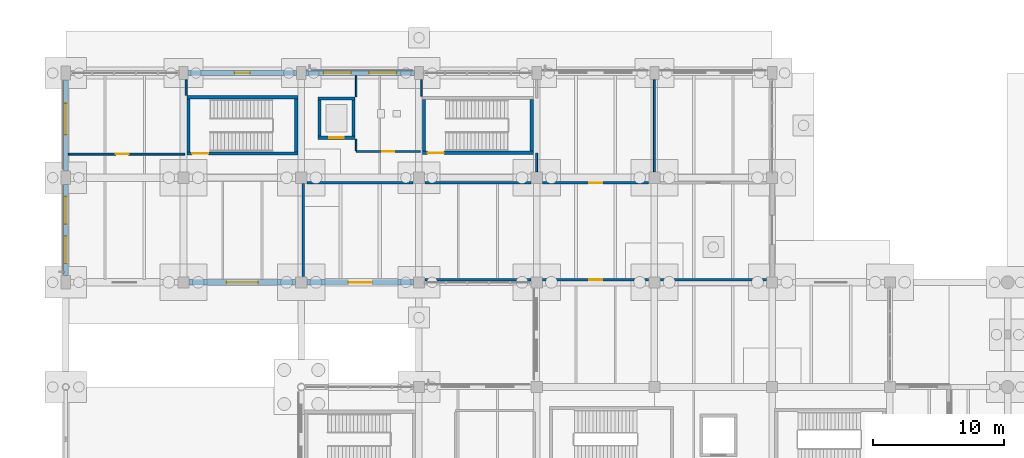
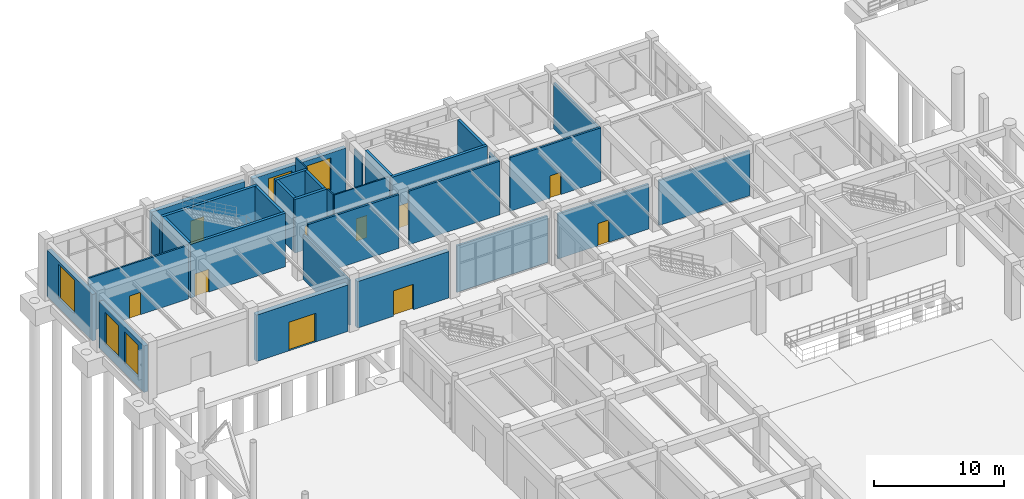
# One storey, part 94 of 121: 32 walls, 10 doors, 5 windows, 15 openings.
"""IFC4 building model written with IfcOpenShell, lengths in metres."""

from ifc_helpers import new_model, si_unit, derived_unit, direction, frame, frame_2d, origin, place, context, subcontext, project, spatial, rectangle, extrude, material, layer, layer_set, type_object, element, fill, save


model = new_model("IFC4")

# Units and contexts
model_context = context("Model", 3, precision=1e-05, world=origin(), true_north=direction((0.0, 1.0)))
body_context = subcontext(model_context, "Body", "Model", "MODEL_VIEW")
ifc_project = project(units=[si_unit("LENGTHUNIT", "METRE"), si_unit("AREAUNIT", "SQUARE_METRE"), si_unit("VOLUMEUNIT", "CUBIC_METRE"), si_unit("PLANEANGLEUNIT", "RADIAN"), si_unit("MASSUNIT", "GRAM", prefix="KILO"), derived_unit("THERMALTRANSMITTANCEUNIT", [(si_unit("MASSUNIT", "GRAM", prefix="KILO"), 1), (si_unit("TIMEUNIT", "SECOND"), -3), (si_unit("THERMODYNAMICTEMPERATUREUNIT", "KELVIN"), -1)])], contexts=[model_context])

# Site, building, storey
site_placement = place(None, origin())
site = spatial("IfcSite", under=ifc_project, at=site_placement, CompositionType="ELEMENT")
building_placement = place(site_placement, origin())
building = spatial("IfcBuilding", under=site, at=building_placement, Name="Zhenchuan Archway Interchange", CompositionType="ELEMENT")
storey_placement = place(building_placement, origin())
storey = spatial("IfcBuildingStorey", under=building, at=storey_placement, Name="L00", CompositionType="ELEMENT", Elevation=0.0)

# Wall, opening, door
ifc_material_1 = material(Name="Granite Stone Cladding", Category="masonry")
ifc_layer_1 = layer(ifc_material_1, 0.419921875)
ifc_layer_set_1 = layer_set([ifc_layer_1], Name="Granite Stone Cladding")
wall_type_1 = type_object("IfcWallType", Name="EW_GRANITE_420", PredefinedType="STANDARD", material=ifc_layer_set_1)
wall_1_placement = place(storey_placement, frame((26.576904296875, 96.0, 0.0), z_axis=(0.0, 0.0, 1.0), x_axis=(-1.0, 0.0, 0.0)))
wall_1 = element("IfcWall", 1, at=wall_1_placement, inside=storey, type_object=wall_type_1, Name="Exterior wall L00-016", PredefinedType="STANDARD", context=body_context, shape_type="SweptSolid", body=[
    extrude(rectangle(XDim=8.15380859375, YDim=0.419921875, at=frame_2d((4.076904296875, 0.0))), origin(), (0.0, 0.0, 1.0), 4.3798828125),
])
opening_1_placement = place(wall_1_placement, frame((3.177001953125, 0.0, 0.0)))
opening_1 = element("IfcOpeningElement", 2, at=opening_1_placement, cuts=wall_1, Name="Opening ED-04", PredefinedType="OPENING", context=body_context, shape_type="SweptSolid", body=[
    extrude(rectangle(XDim=1.800048828125, YDim=2.39990234375, at=frame_2d((0.89990234375, 1.199951171875))), frame((0.0, 0.221923828125, 0.0), z_axis=(0.0, -1.0, 0.0), x_axis=(1.0, 0.0, 0.0)), (0.0, 0.0, 1.0), 0.44384765625),
])
ifc_material_2 = material(Name="Anodised Aluminium", Category="aluminium")
door_type_1 = type_object("IfcDoorType", Name="ED_ENT_1800x2400", OperationType="DOUBLE_DOOR_SINGLE_SWING", PredefinedType="DOOR", material=ifc_material_2)
door_1_placement = place(opening_1_placement, origin())
door_1 = element("IfcDoor", 3, at=door_1_placement, inside=storey, type_object=door_type_1, Name="Exterior entrance door L00-007", OperationType="SINGLE_SWING_LEFT", OverallHeight=2.39990234375, OverallWidth=1.800048828125, PredefinedType="DOOR", context=body_context, shape_type="SweptSolid", body=[
    extrude(rectangle(XDim=1.800048828125, YDim=2.39990234375, at=frame_2d((0.89990234375, 1.199951171875))), frame((0.0, 0.02490234375, 0.0), z_axis=(0.0, -1.0, 0.0), x_axis=(1.0, 0.0, 0.0)), (0.0, 0.0, 1.0), 0.050048828125),
])
fill(opening_1, door_1)

wall_2_placement = place(storey_placement, frame((17.576904296875, 96.0, 0.0), z_axis=(0.0, 0.0, 1.0), x_axis=(-1.0, 0.0, 0.0)))
wall_2 = element("IfcWall", 4, at=wall_2_placement, inside=storey, type_object=wall_type_1, Name="Exterior wall L00-017", PredefinedType="STANDARD", context=body_context, shape_type="SweptSolid", body=[
    extrude(rectangle(XDim=8.15380859375, YDim=0.419921875, at=frame_2d((4.076904296875, 0.0))), origin(), (0.0, 0.0, 1.0), 4.3798828125),
])
opening_2_placement = place(wall_2_placement, frame((2.876953125, 0.0, 0.0)))
opening_2 = element("IfcOpeningElement", 5, at=opening_2_placement, cuts=wall_2, Name="Opening ED-01", PredefinedType="OPENING", context=body_context, shape_type="SweptSolid", body=[
    extrude(rectangle(XDim=2.39990234375, YDim=2.699951171875, at=frame_2d((1.199951171875, 1.35009765625))), frame((0.0, 0.221923828125, 0.0), z_axis=(0.0, -1.0, 0.0), x_axis=(1.0, 0.0, 0.0)), (0.0, 0.0, 1.0), 0.44384765625),
])
door_type_2 = type_object("IfcDoorType", Name="ED_MAIN_2400x2700", OperationType="DOUBLE_DOOR_SINGLE_SWING", PredefinedType="DOOR", material=ifc_material_2)
door_2_placement = place(opening_2_placement, origin())
door_2 = element("IfcDoor", 6, at=door_2_placement, inside=storey, type_object=door_type_2, Name="Exterior entrance door L00-008", OperationType="SINGLE_SWING_LEFT", OverallHeight=2.699951171875, OverallWidth=2.39990234375, PredefinedType="DOOR", context=body_context, shape_type="SweptSolid", body=[
    extrude(rectangle(XDim=2.39990234375, YDim=2.699951171875, at=frame_2d((1.199951171875, 1.35009765625))), frame((0.0, 0.02490234375, 0.0), z_axis=(0.0, -1.0, 0.0), x_axis=(1.0, 0.0, 0.0)), (0.0, 0.0, 1.0), 0.050048828125),
])
fill(opening_2, door_2)

# Wall, openings, windows
ifc_material_3 = material(Name="Terracotta Masonry", Category="masonry")
ifc_layer_2 = layer(ifc_material_3, 0.360107421875)
ifc_layer_set_2 = layer_set([ifc_layer_2], Name="Terracotta Masonry")
wall_type_2 = type_object("IfcWallType", Name="EW_TERRA_360", PredefinedType="STANDARD", material=ifc_layer_set_2)
wall_3_placement = place(storey_placement, frame((0.0, 96.52294921875, 0.0), z_axis=(0.0, 0.0, 1.0), x_axis=(0.0, 1.0, 0.0)))
wall_3 = element("IfcWall", 7, at=wall_3_placement, inside=storey, type_object=wall_type_2, Name="Exterior wall L00-019", PredefinedType="STANDARD", context=body_context, shape_type="SweptSolid", body=[
    extrude(rectangle(XDim=6.9541015625, YDim=0.360107421875, at=frame_2d((3.47705078125, 0.0))), origin(), (0.0, 0.0, 1.0), 4.3798828125),
])
opening_3_placement = place(wall_3_placement, frame((0.91796875, 0.0, 0.89990234375)))
opening_3 = element("IfcOpeningElement", 8, at=opening_3_placement, cuts=wall_3, Name="Opening W-02", PredefinedType="OPENING", context=body_context, shape_type="SweptSolid", body=[
    extrude(rectangle(XDim=2.10009765625, YDim=3.0, at=frame_2d((1.050048828125, 1.5))), frame((0.0, 0.19189453125, 0.0), z_axis=(0.0, -1.0, 0.0), x_axis=(1.0, 0.0, 0.0)), (0.0, 0.0, 1.0), 0.384033203125),
])
opening_4_placement = place(wall_3_placement, frame((3.93603515625, 0.0, 0.89990234375)))
opening_4 = element("IfcOpeningElement", 9, at=opening_4_placement, cuts=wall_3, Name="Opening W-02", PredefinedType="OPENING", context=body_context, shape_type="SweptSolid", body=[
    extrude(rectangle(XDim=2.10009765625, YDim=3.0, at=frame_2d((1.050048828125, 1.5))), frame((0.0, 0.19189453125, 0.0), z_axis=(0.0, -1.0, 0.0), x_axis=(1.0, 0.0, 0.0)), (0.0, 0.0, 1.0), 0.384033203125),
])
ifc_material_4 = material(Name="Double Low-E Insulated Glazing", Category="glass")
window_type_1 = type_object("IfcWindowType", Name="WN_ARCH_2100x3000", PartitioningType="SINGLE_PANEL", PredefinedType="WINDOW", material=ifc_material_4)
window_1_placement = place(opening_3_placement, origin())
window_1 = element("IfcWindow", 10, at=window_1_placement, inside=storey, type_object=window_type_1, Name="Window L00-0012", OverallHeight=3.0, OverallWidth=2.10009765625, PartitioningType="SINGLE_PANEL", PredefinedType="WINDOW", context=body_context, shape_type="SweptSolid", body=[
    extrude(rectangle(XDim=2.10009765625, YDim=3.0, at=frame_2d((1.050048828125, 1.5))), frame((0.0, 0.030029296875, 0.0), z_axis=(0.0, -1.0, 0.0), x_axis=(1.0, 0.0, 0.0)), (0.0, 0.0, 1.0), 0.06005859375),
])
fill(opening_3, window_1)
window_2_placement = place(opening_4_placement, origin())
window_2 = element("IfcWindow", 11, at=window_2_placement, inside=storey, type_object=window_type_1, Name="Window L00-0013", OverallHeight=3.0, OverallWidth=2.10009765625, PartitioningType="SINGLE_PANEL", PredefinedType="WINDOW", context=body_context, shape_type="SweptSolid", body=[
    extrude(rectangle(XDim=2.10009765625, YDim=3.0, at=frame_2d((1.050048828125, 1.5))), frame((0.0, 0.030029296875, 0.0), z_axis=(0.0, -1.0, 0.0), x_axis=(1.0, 0.0, 0.0)), (0.0, 0.0, 1.0), 0.06005859375),
])
fill(opening_4, window_2)

# Wall, opening, window
wall_4_placement = place(storey_placement, frame((0.0, 104.52294921875, 0.0), z_axis=(0.0, 0.0, 1.0), x_axis=(0.0, 1.0, 0.0)))
wall_4 = element("IfcWall", 12, at=wall_4_placement, inside=storey, type_object=wall_type_2, Name="Exterior wall L00-020", PredefinedType="STANDARD", context=body_context, shape_type="SweptSolid", body=[
    extrude(rectangle(XDim=6.9541015625, YDim=0.360107421875, at=frame_2d((3.47705078125, 0.0))), origin(), (0.0, 0.0, 1.0), 4.3798828125),
])
opening_5_placement = place(wall_4_placement, frame((2.765380859375, 0.0, 0.89990234375)))
opening_5 = element("IfcOpeningElement", 13, at=opening_5_placement, cuts=wall_4, Name="Opening W-01", PredefinedType="OPENING", context=body_context, shape_type="SweptSolid", body=[
    extrude(rectangle(XDim=2.39990234375, YDim=3.199951171875, at=frame_2d((1.199951171875, 1.60009765625))), frame((0.0, 0.19189453125, 0.0), z_axis=(0.0, -1.0, 0.0), x_axis=(1.0, 0.0, 0.0)), (0.0, 0.0, 1.0), 0.384033203125),
])
window_type_2 = type_object("IfcWindowType", Name="WN_ARCH_2400x3200", PartitioningType="SINGLE_PANEL", PredefinedType="WINDOW", material=ifc_material_4)
window_3_placement = place(opening_5_placement, origin())
window_3 = element("IfcWindow", 14, at=window_3_placement, inside=storey, type_object=window_type_2, Name="Window L00-0014", OverallHeight=3.199951171875, OverallWidth=2.39990234375, PartitioningType="SINGLE_PANEL", PredefinedType="WINDOW", context=body_context, shape_type="SweptSolid", body=[
    extrude(rectangle(XDim=2.39990234375, YDim=3.199951171875, at=frame_2d((1.199951171875, 1.60009765625))), frame((0.0, 0.030029296875, 0.0), z_axis=(0.0, -1.0, 0.0), x_axis=(1.0, 0.0, 0.0)), (0.0, 0.0, 1.0), 0.06005859375),
])
fill(opening_5, window_3)

# Wall, opening, door
wall_5_placement = place(storey_placement, frame((9.347900390625, 112.0, 0.0), z_axis=(0.0, 0.0, 1.0), x_axis=(1.0, 0.0, 0.0)))
wall_5 = element("IfcWall", 15, at=wall_5_placement, inside=storey, type_object=wall_type_2, Name="Exterior wall L00-022", PredefinedType="STANDARD", context=body_context, shape_type="SweptSolid", body=[
    extrude(rectangle(XDim=8.30419921875, YDim=0.360107421875, at=frame_2d((4.152099609375, 0.0))), origin(), (0.0, 0.0, 1.0), 4.3798828125),
])
opening_6_placement = place(wall_5_placement, frame((3.552001953125, 0.0, 0.0)))
opening_6 = element("IfcOpeningElement", 16, at=opening_6_placement, cuts=wall_5, Name="Opening ED-06", PredefinedType="OPENING", context=body_context, shape_type="SweptSolid", body=[
    extrude(rectangle(XDim=1.199951171875, YDim=2.199951171875, at=frame_2d((0.60009765625, 1.10009765625))), frame((0.0, 0.19189453125, 0.0), z_axis=(0.0, -1.0, 0.0), x_axis=(1.0, 0.0, 0.0)), (0.0, 0.0, 1.0), 0.384033203125),
])
ifc_material_5 = material(Name="Painted Galvanised Steel", Category="steel")
door_type_3 = type_object("IfcDoorType", Name="ED_EXIT_1200x2200", OperationType="NOTDEFINED", PredefinedType="DOOR", material=ifc_material_5)
door_3_placement = place(opening_6_placement, origin())
door_3 = element("IfcDoor", 17, at=door_3_placement, inside=storey, type_object=door_type_3, Name="Exterior entrance door L00-010", OperationType="SINGLE_SWING_RIGHT", OverallHeight=2.199951171875, OverallWidth=1.199951171875, PredefinedType="DOOR", context=body_context, shape_type="SweptSolid", body=[
    extrude(rectangle(XDim=1.199951171875, YDim=2.199951171875, at=frame_2d((0.60009765625, 1.10009765625))), frame((0.0, 0.02490234375, 0.0), z_axis=(0.0, -1.0, 0.0), x_axis=(1.0, 0.0, 0.0)), (0.0, 0.0, 1.0), 0.050048828125),
])
fill(opening_6, door_3)

# Wall, openings, windows
wall_6_placement = place(storey_placement, frame((18.347900390625, 112.0, 0.0), z_axis=(0.0, 0.0, 1.0), x_axis=(1.0, 0.0, 0.0)))
wall_6 = element("IfcWall", 18, at=wall_6_placement, inside=storey, type_object=wall_type_2, Name="Exterior wall L00-023", PredefinedType="STANDARD", context=body_context, shape_type="SweptSolid", body=[
    extrude(rectangle(XDim=8.30419921875, YDim=0.360107421875, at=frame_2d((4.152099609375, 0.0))), origin(), (0.0, 0.0, 1.0), 4.3798828125),
])
opening_7_placement = place(wall_6_placement, frame((1.367919921875, 0.0, 0.89990234375)))
opening_7 = element("IfcOpeningElement", 19, at=opening_7_placement, cuts=wall_6, Name="Opening W-02", PredefinedType="OPENING", context=body_context, shape_type="SweptSolid", body=[
    extrude(rectangle(XDim=2.10009765625, YDim=3.0, at=frame_2d((1.050048828125, 1.5))), frame((0.0, 0.19189453125, 0.0), z_axis=(0.0, -1.0, 0.0), x_axis=(1.0, 0.0, 0.0)), (0.0, 0.0, 1.0), 0.384033203125),
])
opening_8_placement = place(wall_6_placement, frame((4.8359375, 0.0, 0.89990234375)))
opening_8 = element("IfcOpeningElement", 20, at=opening_8_placement, cuts=wall_6, Name="Opening W-02", PredefinedType="OPENING", context=body_context, shape_type="SweptSolid", body=[
    extrude(rectangle(XDim=2.10009765625, YDim=3.0, at=frame_2d((1.050048828125, 1.5))), frame((0.0, 0.19189453125, 0.0), z_axis=(0.0, -1.0, 0.0), x_axis=(1.0, 0.0, 0.0)), (0.0, 0.0, 1.0), 0.384033203125),
])
window_4_placement = place(opening_7_placement, origin())
window_4 = element("IfcWindow", 21, at=window_4_placement, inside=storey, type_object=window_type_1, Name="Window L00-0015", OverallHeight=3.0, OverallWidth=2.10009765625, PartitioningType="SINGLE_PANEL", PredefinedType="WINDOW", context=body_context, shape_type="SweptSolid", body=[
    extrude(rectangle(XDim=2.10009765625, YDim=3.0, at=frame_2d((1.050048828125, 1.5))), frame((0.0, 0.030029296875, 0.0), z_axis=(0.0, -1.0, 0.0), x_axis=(1.0, 0.0, 0.0)), (0.0, 0.0, 1.0), 0.06005859375),
])
fill(opening_7, window_4)
window_5_placement = place(opening_8_placement, origin())
window_5 = element("IfcWindow", 22, at=window_5_placement, inside=storey, type_object=window_type_1, Name="Window L00-0016", OverallHeight=3.0, OverallWidth=2.10009765625, PartitioningType="SINGLE_PANEL", PredefinedType="WINDOW", context=body_context, shape_type="SweptSolid", body=[
    extrude(rectangle(XDim=2.10009765625, YDim=3.0, at=frame_2d((1.050048828125, 1.5))), frame((0.0, 0.030029296875, 0.0), z_axis=(0.0, -1.0, 0.0), x_axis=(1.0, 0.0, 0.0)), (0.0, 0.0, 1.0), 0.06005859375),
])
fill(opening_8, window_5)

# Wall, opening, door
ifc_material_6 = material(Name="Concrete C40", Category="concrete")
ifc_layer_3 = layer(ifc_material_6, 0.239990234375)
ifc_layer_set_3 = layer_set([ifc_layer_3], Name="Concrete C40")
wall_type_3 = type_object("IfcWallType", Name="WL_LIFT_240", PredefinedType="SHEAR", material=ifc_layer_set_3)
wall_7_placement = place(storey_placement, frame((19.280029296875, 107.050048828125, 0.0), z_axis=(0.0, 0.0, 1.0), x_axis=(1.0, 0.0, 0.0)))
wall_7 = element("IfcWall", 23, at=wall_7_placement, inside=storey, type_object=wall_type_3, Name="Lift LF-04 south shaft wall (L00)", PredefinedType="SHEAR", context=body_context, shape_type="SweptSolid", body=[
    extrude(rectangle(XDim=2.840087890625, YDim=0.239990234375, at=frame_2d((1.419921875, 0.0))), origin(), (0.0, 0.0, 1.0), 5.050048828125),
])
opening_9_placement = place(wall_7_placement, frame((0.8701171875, 0.0, 0.0)))
opening_9 = element("IfcOpeningElement", 24, at=opening_9_placement, cuts=wall_7, Name="Opening LD-01", PredefinedType="OPENING", context=body_context, shape_type="SweptSolid", body=[
    extrude(rectangle(XDim=1.10009765625, YDim=2.199951171875, at=frame_2d((0.550048828125, 1.10009765625))), frame((0.0, 0.1318359375, 0.0), z_axis=(0.0, -1.0, 0.0), x_axis=(1.0, 0.0, 0.0)), (0.0, 0.0, 1.0), 0.263916015625),
])
ifc_material_7 = material(Name="Stainless Steel 304", Category="steel")
door_type_4 = type_object("IfcDoorType", Name="DR_LIFT_LD110", OperationType="DOUBLE_DOOR_SLIDING", PredefinedType="DOOR", material=ifc_material_7)
door_4_placement = place(opening_9_placement, origin())
door_4 = element("IfcDoor", 25, at=door_4_placement, inside=storey, type_object=door_type_4, Name="Lift LF-04 landing door (L00)", OperationType="DOUBLE_DOOR_SLIDING", OverallHeight=2.199951171875, OverallWidth=1.10009765625, PredefinedType="DOOR", context=body_context, shape_type="SweptSolid", body=[
    extrude(rectangle(XDim=1.10009765625, YDim=2.199951171875, at=frame_2d((0.550048828125, 1.10009765625))), frame((0.0, 0.02490234375, 0.0), z_axis=(0.0, -1.0, 0.0), x_axis=(1.0, 0.0, 0.0)), (0.0, 0.0, 1.0), 0.050048828125),
])
fill(opening_9, door_4)

# Walls
wall_8_placement = place(storey_placement, frame((22.1201171875, 110.050048828125, 0.0), z_axis=(0.0, 0.0, 1.0), x_axis=(-1.0, 0.0, 0.0)))
element("IfcWall", 26, at=wall_8_placement, inside=storey, type_object=wall_type_3, Name="Lift LF-04 north shaft wall (L00)", PredefinedType="SHEAR", context=body_context, shape_type="SweptSolid", body=[
    extrude(rectangle(XDim=2.840087890625, YDim=0.239990234375, at=frame_2d((1.419921875, 0.0))), origin(), (0.0, 0.0, 1.0), 5.050048828125),
])
for number, where, z_axis, x_axis, name in (
    (27, (19.39990234375, 109.929931640625, 0.0), (0.0, 0.0, 1.0), (0.0, -1.0, 0.0), "Lift LF-04 west shaft wall (L00)"),
    (28, (22.0, 107.169921875, 0.0), (0.0, 0.0, 1.0), (0.0, 1.0, 0.0), "Lift LF-04 east shaft wall (L00)"),
):
    element("IfcWall", number, at=place(storey_placement, frame(where, z_axis=z_axis, x_axis=x_axis)), inside=storey, type_object=wall_type_3, Name=name, PredefinedType="SHEAR", context=body_context, shape_type="SweptSolid", body=[
        extrude(rectangle(XDim=2.760009765625, YDim=0.239990234375, at=frame_2d((1.3798828125, 0.0))), origin(), (0.0, 0.0, 1.0), 5.050048828125),
    ])

# Wall, opening, door
ifc_material_8 = material(Name="Gypsum Plasterboard", Category="gypsum")
ifc_layer_4 = layer(ifc_material_8, 0.14990234375)
ifc_layer_set_4 = layer_set([ifc_layer_4], Name="Gypsum Plasterboard")
wall_type_4 = type_object("IfcWallType", Name="WL_PART_150", PredefinedType="STANDARD", material=ifc_layer_set_4)
wall_9_placement = place(storey_placement, frame((0.199951171875, 105.800048828125, 0.0), z_axis=(0.0, 0.0, 1.0), x_axis=(1.0, 0.0, 0.0)))
wall_9 = element("IfcWall", 29, at=wall_9_placement, inside=storey, type_object=wall_type_4, Name="Left Luggage and Parcel Office S partition (L00)", PredefinedType="STANDARD", context=body_context, shape_type="SweptSolid", body=[
    extrude(rectangle(XDim=8.905029296875, YDim=0.14990234375, at=frame_2d((4.45263671875, 0.0))), origin(), (0.0, 0.0, 1.0), 5.050048828125),
])
opening_10_placement = place(wall_9_placement, frame((3.625, 0.0, 0.0)))
opening_10 = element("IfcOpeningElement", 30, at=opening_10_placement, cuts=wall_9, Name="Opening ID-02", PredefinedType="OPENING", context=body_context, shape_type="SweptSolid", body=[
    extrude(rectangle(XDim=1.0, YDim=2.10009765625, at=frame_2d((0.5, 1.050048828125))), frame((0.0, 0.0869140625, 0.0), z_axis=(0.0, -1.0, 0.0), x_axis=(1.0, 0.0, 0.0)), (0.0, 0.0, 1.0), 0.173828125),
])
ifc_material_9 = material(Name="Hardwood Timber", Category="wood")
door_type_5 = type_object("IfcDoorType", Name="DR_OPS_100", OperationType="NOTDEFINED", PredefinedType="DOOR", material=ifc_material_9)
door_5_placement = place(opening_10_placement, origin())
door_5 = element("IfcDoor", 31, at=door_5_placement, inside=storey, type_object=door_type_5, Name="Left Luggage and Parcel Office door (L00)", OperationType="SINGLE_SWING_RIGHT", OverallHeight=2.10009765625, OverallWidth=1.0, PredefinedType="DOOR", context=body_context, shape_type="SweptSolid", body=[
    extrude(rectangle(XDim=1.0, YDim=2.10009765625, at=frame_2d((0.5, 1.050048828125))), frame((0.0, 0.02490234375, 0.0), z_axis=(0.0, -1.0, 0.0), x_axis=(1.0, 0.0, 0.0)), (0.0, 0.0, 1.0), 0.050048828125),
])
fill(opening_10, door_5)

# Walls
wall_10_placement = place(storey_placement, frame((9.199951171875, 110.284912109375, 0.0), z_axis=(0.0, 0.0, 1.0), x_axis=(0.0, 1.0, 0.0)))
element("IfcWall", 32, at=wall_10_placement, inside=storey, type_object=wall_type_4, Name="Left Luggage and Parcel Office E partition (L00)", PredefinedType="STANDARD", context=body_context, shape_type="SweptSolid", body=[
    extrude(rectangle(XDim=1.190185546875, YDim=0.14990234375, at=frame_2d((0.59521484375, 0.0))), origin(), (0.0, 0.0, 1.0), 4.330078125),
])
wall_11_placement = place(storey_placement, frame((36.0, 104.449951171875, 0.0), z_axis=(0.0, 0.0, 1.0), x_axis=(0.0, 1.0, 0.0)))
element("IfcWall", 33, at=wall_11_placement, inside=storey, type_object=wall_type_4, Name="Bus Bay 07 Boarding Gate W partition (L00)", PredefinedType="STANDARD", context=body_context, shape_type="SweptSolid", body=[
    extrude(rectangle(XDim=1.425048828125, YDim=0.14990234375, at=frame_2d((0.71240234375, 0.0))), origin(), (0.0, 0.0, 1.0), 4.330078125),
])
wall_12_placement = place(storey_placement, frame((45.0, 104.449951171875, 0.0), z_axis=(0.0, 0.0, 1.0), x_axis=(0.0, 1.0, 0.0)))
element("IfcWall", 34, at=wall_12_placement, inside=storey, type_object=wall_type_4, Name="Bus Bay 07 Boarding Gate E partition (L00)", PredefinedType="STANDARD", context=body_context, shape_type="SweptSolid", body=[
    extrude(rectangle(XDim=7.025146484375, YDim=0.14990234375, at=frame_2d((3.5126953125, 0.0))), origin(), (0.0, 0.0, 1.0), 4.330078125),
])
ifc_material_10 = material(Name="Concrete Block Masonry", Category="masonry")
ifc_layer_5 = layer(ifc_material_10, 0.179931640625)
ifc_layer_set_5 = layer_set([ifc_layer_5], Name="Concrete Block Masonry")
wall_type_5 = type_object("IfcWallType", Name="WL_PART_180", PredefinedType="STANDARD", material=ifc_layer_set_5)
wall_13_placement = place(storey_placement, frame((27.449951171875, 96.199951171875, 0.0), z_axis=(0.0, 0.0, 1.0), x_axis=(1.0, 0.0, 0.0)))
element("IfcWall", 35, at=wall_13_placement, inside=storey, type_object=wall_type_5, Name="Regional Coach Waiting Lounge S partition (L00)", PredefinedType="STANDARD", context=body_context, shape_type="SweptSolid", body=[
    extrude(rectangle(XDim=8.10009765625, YDim=0.179931640625, at=frame_2d((4.050048828125, 0.0))), origin(), (0.0, 0.0, 1.0), 4.3798828125),
])

# Wall, opening, door
wall_14_placement = place(storey_placement, frame((36.449951171875, 96.199951171875, 0.0), z_axis=(0.0, 0.0, 1.0), x_axis=(1.0, 0.0, 0.0)))
wall_14 = element("IfcWall", 36, at=wall_14_placement, inside=storey, type_object=wall_type_5, Name="Regional Coach Waiting Lounge S partition (L00)", PredefinedType="STANDARD", context=body_context, shape_type="SweptSolid", body=[
    extrude(rectangle(XDim=8.10009765625, YDim=0.179931640625, at=frame_2d((4.050048828125, 0.0))), origin(), (0.0, 0.0, 1.0), 4.22998046875),
])
opening_11_placement = place(wall_14_placement, frame((3.550048828125, 0.0, 0.0)))
opening_11 = element("IfcOpeningElement", 37, at=opening_11_placement, cuts=wall_14, Name="Opening ID-02", PredefinedType="OPENING", context=body_context, shape_type="SweptSolid", body=[
    extrude(rectangle(XDim=1.0, YDim=2.10009765625, at=frame_2d((0.5, 1.050048828125))), frame((0.0, 0.10205078125, 0.0), z_axis=(0.0, -1.0, 0.0), x_axis=(1.0, 0.0, 0.0)), (0.0, 0.0, 1.0), 0.203857421875),
])
door_6_placement = place(opening_11_placement, origin())
door_6 = element("IfcDoor", 38, at=door_6_placement, inside=storey, type_object=door_type_5, Name="Regional Coach Waiting Lounge door (L00)", OperationType="SINGLE_SWING_LEFT", OverallHeight=2.10009765625, OverallWidth=1.0, PredefinedType="DOOR", context=body_context, shape_type="SweptSolid", body=[
    extrude(rectangle(XDim=1.0, YDim=2.10009765625, at=frame_2d((0.5, 1.050048828125))), frame((0.0, 0.02490234375, 0.0), z_axis=(0.0, -1.0, 0.0), x_axis=(1.0, 0.0, 0.0)), (0.0, 0.0, 1.0), 0.050048828125),
])
fill(opening_11, door_6)

# Walls
wall_15_placement = place(storey_placement, frame((45.449951171875, 96.199951171875, 0.0), z_axis=(0.0, 0.0, 1.0), x_axis=(1.0, 0.0, 0.0)))
element("IfcWall", 39, at=wall_15_placement, inside=storey, type_object=wall_type_5, Name="Regional Coach Waiting Lounge S partition (L00)", PredefinedType="STANDARD", context=body_context, shape_type="SweptSolid", body=[
    extrude(rectangle(XDim=8.10009765625, YDim=0.179931640625, at=frame_2d((4.050048828125, 0.0))), origin(), (0.0, 0.0, 1.0), 4.22998046875),
])
for number, where, z_axis, x_axis, name in (
    (40, (18.449951171875, 103.60009765625, 0.0), (0.0, 0.0, 1.0), (1.0, 0.0, 0.0), "Regional Coach Waiting Lounge N partition (L00)"),
    (41, (27.449951171875, 103.60009765625, 0.0), (0.0, 0.0, 1.0), (1.0, 0.0, 0.0), "Regional Coach Waiting Lounge N partition (L00)"),
):
    element("IfcWall", number, at=place(storey_placement, frame(where, z_axis=z_axis, x_axis=x_axis)), inside=storey, type_object=wall_type_5, Name=name, PredefinedType="STANDARD", context=body_context, shape_type="SweptSolid", body=[
        extrude(rectangle(XDim=8.10009765625, YDim=0.179931640625, at=frame_2d((4.050048828125, 0.0))), origin(), (0.0, 0.0, 1.0), 5.050048828125),
    ])

# Wall, opening, door
wall_16_placement = place(storey_placement, frame((36.449951171875, 103.60009765625, 0.0), z_axis=(0.0, 0.0, 1.0), x_axis=(1.0, 0.0, 0.0)))
wall_16 = element("IfcWall", 42, at=wall_16_placement, inside=storey, type_object=wall_type_5, Name="Regional Coach Waiting Lounge N partition (L00)", PredefinedType="STANDARD", context=body_context, shape_type="SweptSolid", body=[
    extrude(rectangle(XDim=8.10009765625, YDim=0.179931640625, at=frame_2d((4.050048828125, 0.0))), origin(), (0.0, 0.0, 1.0), 5.050048828125),
])
opening_12_placement = place(wall_16_placement, frame((3.550048828125, 0.0, 0.0)))
opening_12 = element("IfcOpeningElement", 43, at=opening_12_placement, cuts=wall_16, Name="Opening ID-02", PredefinedType="OPENING", context=body_context, shape_type="SweptSolid", body=[
    extrude(rectangle(XDim=1.0, YDim=2.10009765625, at=frame_2d((0.5, 1.050048828125))), frame((0.0, 0.10205078125, 0.0), z_axis=(0.0, -1.0, 0.0), x_axis=(1.0, 0.0, 0.0)), (0.0, 0.0, 1.0), 0.203857421875),
])
door_7_placement = place(opening_12_placement, origin())
door_7 = element("IfcDoor", 44, at=door_7_placement, inside=storey, type_object=door_type_5, Name="Bus Bay 07 Boarding Gate door (L00)", OperationType="SINGLE_SWING_LEFT", OverallHeight=2.10009765625, OverallWidth=1.0, PredefinedType="DOOR", context=body_context, shape_type="SweptSolid", body=[
    extrude(rectangle(XDim=1.0, YDim=2.10009765625, at=frame_2d((0.5, 1.050048828125))), frame((0.0, 0.02490234375, 0.0), z_axis=(0.0, -1.0, 0.0), x_axis=(1.0, 0.0, 0.0)), (0.0, 0.0, 1.0), 0.050048828125),
])
fill(opening_12, door_7)

# Wall
wall_17_placement = place(storey_placement, frame((18.139892578125, 96.449951171875, 0.0), z_axis=(0.0, 0.0, 1.0), x_axis=(0.0, 1.0, 0.0)))
element("IfcWall", 45, at=wall_17_placement, inside=storey, type_object=wall_type_5, Name="Regional Coach Waiting Lounge W partition (L00)", PredefinedType="STANDARD", context=body_context, shape_type="SweptSolid", body=[
    extrude(rectangle(XDim=7.10009765625, YDim=0.179931640625, at=frame_2d((3.550048828125, 0.0))), origin(), (0.0, 0.0, 1.0), 4.22998046875),
])

# Wall, opening, door
ifc_layer_6 = layer(ifc_material_6, 0.25)
ifc_layer_set_6 = layer_set([ifc_layer_6], Name="Concrete C40")
wall_type_6 = type_object("IfcWallType", Name="WL_STAIR_250", PredefinedType="SHEAR", material=ifc_layer_set_6)
wall_18_placement = place(storey_placement, frame((9.2548828125, 105.85009765625, 0.0), z_axis=(0.0, 0.0, 1.0), x_axis=(1.0, 0.0, 0.0)))
wall_18 = element("IfcWall", 46, at=wall_18_placement, inside=storey, type_object=wall_type_6, Name="Stair ST-W1 south wall (L00)", PredefinedType="SHEAR", context=body_context, shape_type="SweptSolid", body=[
    extrude(rectangle(XDim=8.490234375, YDim=0.25, at=frame_2d((4.2451171875, 0.0))), origin(), (0.0, 0.0, 1.0), 5.050048828125),
])
opening_13_placement = place(wall_18_placement, frame((0.405029296875, 0.0, 0.0)))
opening_13 = element("IfcOpeningElement", 47, at=opening_13_placement, cuts=wall_18, Name="Opening FD-01", PredefinedType="OPENING", context=body_context, shape_type="SweptSolid", body=[
    extrude(rectangle(XDim=1.25, YDim=2.14990234375, at=frame_2d((0.625, 1.074951171875))), frame((0.0, 0.136962890625, 0.0), z_axis=(0.0, -1.0, 0.0), x_axis=(1.0, 0.0, 0.0)), (0.0, 0.0, 1.0), 0.27392578125),
])
door_type_6 = type_object("IfcDoorType", Name="DR_STAIR_FD90", OperationType="NOTDEFINED", PredefinedType="DOOR", material=ifc_material_5)
door_8_placement = place(opening_13_placement, frame((1.25, 0.0, 0.0), z_axis=(0.0, 0.0, 1.0), x_axis=(-1.0, 0.0, 0.0)))
door_8 = element("IfcDoor", 48, at=door_8_placement, inside=storey, type_object=door_type_6, Name="Stair ST-W1 fire door (L00)", OperationType="SINGLE_SWING_LEFT", OverallHeight=2.14990234375, OverallWidth=1.25, PredefinedType="DOOR", context=body_context, shape_type="SweptSolid", body=[
    extrude(rectangle(XDim=1.25, YDim=2.14990234375, at=frame_2d((0.625, 1.074951171875))), frame((0.0, 0.02490234375, 0.0), z_axis=(0.0, -1.0, 0.0), x_axis=(1.0, 0.0, 0.0)), (0.0, 0.0, 1.0), 0.050048828125),
])
fill(opening_13, door_8)

# Walls
wall_19_placement = place(storey_placement, frame((17.7451171875, 110.14990234375, 0.0), z_axis=(0.0, 0.0, 1.0), x_axis=(-1.0, 0.0, 0.0)))
element("IfcWall", 49, at=wall_19_placement, inside=storey, type_object=wall_type_6, Name="Stair ST-W1 north wall (L00)", PredefinedType="SHEAR", context=body_context, shape_type="SweptSolid", body=[
    extrude(rectangle(XDim=8.490234375, YDim=0.25, at=frame_2d((4.2451171875, 0.0))), origin(), (0.0, 0.0, 1.0), 5.050048828125),
])
for number, where, z_axis, x_axis, name in (
    (50, (9.3798828125, 110.02490234375, 0.0), (0.0, 0.0, 1.0), (0.0, -1.0, 0.0), "Stair ST-W1 west wall (L00)"),
    (51, (17.6201171875, 105.97509765625, 0.0), (0.0, 0.0, 1.0), (0.0, 1.0, 0.0), "Stair ST-W1 east wall (L00)"),
):
    element("IfcWall", number, at=place(storey_placement, frame(where, z_axis=z_axis, x_axis=x_axis)), inside=storey, type_object=wall_type_6, Name=name, PredefinedType="SHEAR", context=body_context, shape_type="SweptSolid", body=[
        extrude(rectangle(XDim=4.0498046875, YDim=0.25, at=frame_2d((2.02490234375, 0.0))), origin(), (0.0, 0.0, 1.0), 5.050048828125),
    ])

# Wall, opening, door
wall_20_placement = place(storey_placement, frame((27.2548828125, 105.89990234375, 0.0), z_axis=(0.0, 0.0, 1.0), x_axis=(1.0, 0.0, 0.0)))
wall_20 = element("IfcWall", 52, at=wall_20_placement, inside=storey, type_object=wall_type_6, Name="Stair ST-W2 south wall (L00)", PredefinedType="SHEAR", context=body_context, shape_type="SweptSolid", body=[
    extrude(rectangle(XDim=8.490234375, YDim=0.25, at=frame_2d((4.2451171875, 0.0))), origin(), (0.0, 0.0, 1.0), 5.050048828125),
])
opening_14_placement = place(wall_20_placement, frame((0.405029296875, 0.0, 0.0)))
opening_14 = element("IfcOpeningElement", 53, at=opening_14_placement, cuts=wall_20, Name="Opening FD-01", PredefinedType="OPENING", context=body_context, shape_type="SweptSolid", body=[
    extrude(rectangle(XDim=1.25, YDim=2.14990234375, at=frame_2d((0.625, 1.074951171875))), frame((0.0, 0.136962890625, 0.0), z_axis=(0.0, -1.0, 0.0), x_axis=(1.0, 0.0, 0.0)), (0.0, 0.0, 1.0), 0.27392578125),
])
door_9_placement = place(opening_14_placement, frame((1.25, 0.0, 0.0), z_axis=(0.0, 0.0, 1.0), x_axis=(-1.0, 0.0, 0.0)))
door_9 = element("IfcDoor", 54, at=door_9_placement, inside=storey, type_object=door_type_6, Name="Stair ST-W2 fire door (L00)", OperationType="SINGLE_SWING_RIGHT", OverallHeight=2.14990234375, OverallWidth=1.25, PredefinedType="DOOR", context=body_context, shape_type="SweptSolid", body=[
    extrude(rectangle(XDim=1.25, YDim=2.14990234375, at=frame_2d((0.625, 1.074951171875))), frame((0.0, 0.02490234375, 0.0), z_axis=(0.0, -1.0, 0.0), x_axis=(1.0, 0.0, 0.0)), (0.0, 0.0, 1.0), 0.050048828125),
])
fill(opening_14, door_9)

# Walls
for number, where, z_axis, x_axis, name in (
    (55, (27.3798828125, 109.97509765625, 0.0), (0.0, 0.0, 1.0), (0.0, -1.0, 0.0), "Stair ST-W2 west wall (L00)"),
    (56, (35.6201171875, 106.02490234375, 0.0), (0.0, 0.0, 1.0), (0.0, 1.0, 0.0), "Stair ST-W2 east wall (L00)"),
):
    element("IfcWall", number, at=place(storey_placement, frame(where, z_axis=z_axis, x_axis=x_axis)), inside=storey, type_object=wall_type_6, Name=name, PredefinedType="SHEAR", context=body_context, shape_type="SweptSolid", body=[
        extrude(rectangle(XDim=3.9501953125, YDim=0.25, at=frame_2d((1.97509765625, 0.0))), origin(), (0.0, 0.0, 1.0), 5.050048828125),
    ])

# Wall, opening, door
ifc_layer_7 = layer(ifc_material_8, 0.1201171875)
ifc_layer_set_7 = layer_set([ifc_layer_7], Name="Gypsum Plasterboard")
wall_type_7 = type_object("IfcWallType", Name="WL_WC_120", PredefinedType="STANDARD", material=ifc_layer_set_7)
wall_21_placement = place(storey_placement, frame((22.199951171875, 106.0, 0.0), z_axis=(0.0, 0.0, 1.0), x_axis=(1.0, 0.0, 0.0)))
wall_21 = element("IfcWall", 57, at=wall_21_placement, inside=storey, type_object=wall_type_7, Name="Terminal Public Washroom S partition (L00)", PredefinedType="STANDARD", context=body_context, shape_type="SweptSolid", body=[
    extrude(rectangle(XDim=4.905029296875, YDim=0.1201171875, at=frame_2d((2.45263671875, 0.0))), origin(), (0.0, 0.0, 1.0), 5.050048828125),
])
opening_15_placement = place(wall_21_placement, frame((1.9775390625, 0.0, 0.0)))
opening_15 = element("IfcOpeningElement", 58, at=opening_15_placement, cuts=wall_21, Name="Opening ID-03", PredefinedType="OPENING", context=body_context, shape_type="SweptSolid", body=[
    extrude(rectangle(XDim=0.949951171875, YDim=2.10009765625, at=frame_2d((0.47509765625, 1.050048828125))), frame((0.0, 0.072021484375, 0.0), z_axis=(0.0, -1.0, 0.0), x_axis=(1.0, 0.0, 0.0)), (0.0, 0.0, 1.0), 0.14404296875),
])
door_type_7 = type_object("IfcDoorType", Name="DR_WC_95", OperationType="NOTDEFINED", PredefinedType="DOOR", material=ifc_material_9)
door_10_placement = place(opening_15_placement, origin())
door_10 = element("IfcDoor", 59, at=door_10_placement, inside=storey, type_object=door_type_7, Name="Terminal Public Washroom door (L00)", OperationType="SINGLE_SWING_LEFT", OverallHeight=2.10009765625, OverallWidth=0.949951171875, PredefinedType="DOOR", context=body_context, shape_type="SweptSolid", body=[
    extrude(rectangle(XDim=0.949951171875, YDim=2.10009765625, at=frame_2d((0.47509765625, 1.050048828125))), frame((0.0, 0.02490234375, 0.0), z_axis=(0.0, -1.0, 0.0), x_axis=(1.0, 0.0, 0.0)), (0.0, 0.0, 1.0), 0.050048828125),
])
fill(opening_15, door_10)

# Walls
wall_22_placement = place(storey_placement, frame((22.199951171875, 106.070068359375, 0.0), z_axis=(0.0, 0.0, 1.0), x_axis=(0.0, 1.0, 0.0)))
element("IfcWall", 60, at=wall_22_placement, inside=storey, type_object=wall_type_7, Name="Terminal Public Washroom W partition (L00)", PredefinedType="STANDARD", context=body_context, shape_type="SweptSolid", body=[
    extrude(rectangle(XDim=0.849853515625, YDim=0.1201171875, at=frame_2d((0.4248046875, 0.0))), origin(), (0.0, 0.0, 1.0), 5.050048828125),
])
wall_23_placement = place(storey_placement, frame((22.199951171875, 110.179931640625, 0.0), z_axis=(0.0, 0.0, 1.0), x_axis=(0.0, 1.0, 0.0)))
element("IfcWall", 61, at=wall_23_placement, inside=storey, type_object=wall_type_7, Name="Terminal Public Washroom W partition (L00)", PredefinedType="STANDARD", context=body_context, shape_type="SweptSolid", body=[
    extrude(rectangle(XDim=1.6201171875, YDim=0.1201171875, at=frame_2d((0.81005859375, 0.0))), origin(), (0.0, 0.0, 1.0), 5.050048828125),
])
wall_24_placement = place(storey_placement, frame((27.199951171875, 110.235107421875, 0.0), z_axis=(0.0, 0.0, 1.0), x_axis=(0.0, 1.0, 0.0)))
element("IfcWall", 62, at=wall_24_placement, inside=storey, type_object=wall_type_7, Name="Terminal Public Washroom E partition (L00)", PredefinedType="STANDARD", context=body_context, shape_type="SweptSolid", body=[
    extrude(rectangle(XDim=1.239990234375, YDim=0.1201171875, at=frame_2d((0.6201171875, 0.0))), origin(), (0.0, 0.0, 1.0), 4.330078125),
])

save(model, "model.ifc")
